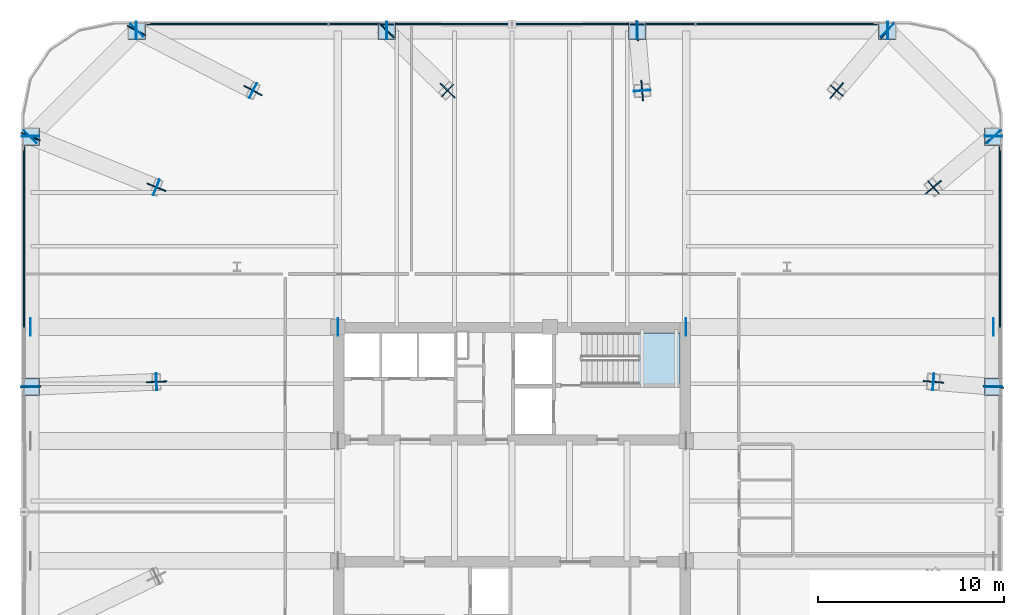
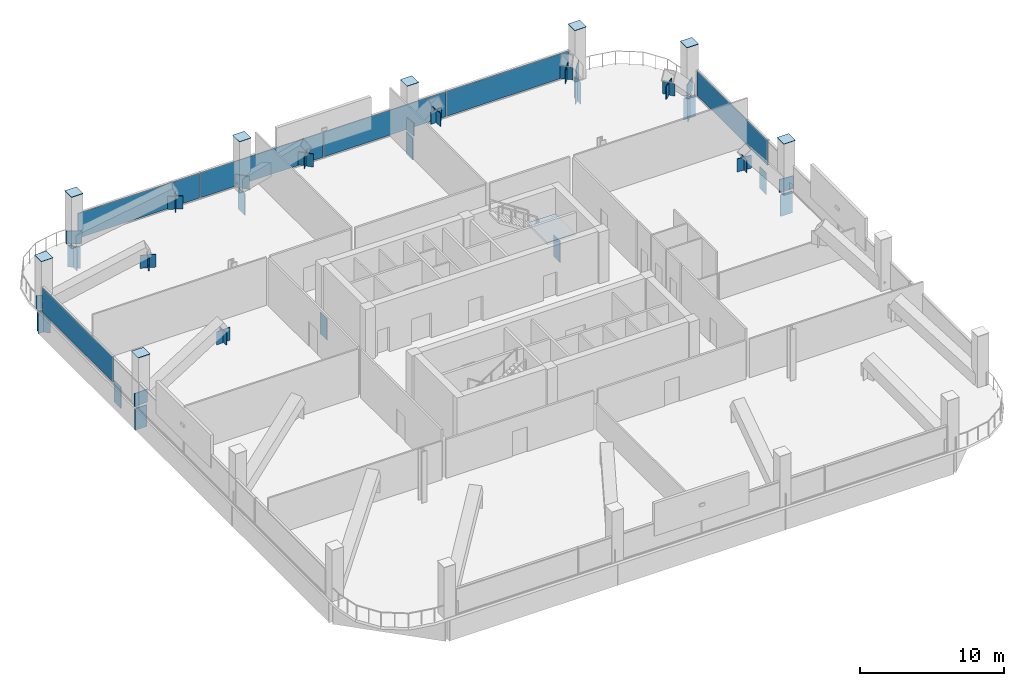
# One storey, part 29 of 38: 58 plates, 1 slab, 4 elements without a shape of their own.
"""IFC4 building model written with IfcOpenShell, lengths in metres."""

from ifc_helpers import new_model, si_unit, direction, frame, origin, origin_2d, place, context, subcontext, project, spatial, polyline, rectangle, outline, extrude, material, layer, layer_set, type_object, element, aggregate, save


model = new_model("IFC4")

# Units and contexts
model_context = context("Model", 3, precision=1e-05, world=origin(), true_north=direction((0.0, 1.0)))
body_context = subcontext(model_context, "Body", "Model", "MODEL_VIEW")
ifc_project = project(units=[si_unit("LENGTHUNIT", "METRE"), si_unit("AREAUNIT", "SQUARE_METRE"), si_unit("VOLUMEUNIT", "CUBIC_METRE"), si_unit("PLANEANGLEUNIT", "RADIAN"), si_unit("MASSUNIT", "GRAM", prefix="KILO")], contexts=[model_context])

# Site, building, storey
site_placement = place(None, origin())
site = spatial("IfcSite", under=ifc_project, at=site_placement, CompositionType="ELEMENT")
building_placement = place(site_placement, origin())
building = spatial("IfcBuilding", under=site, at=building_placement, Name="Qhalaya Broadcast Tower", CompositionType="ELEMENT")
storey_placement = place(building_placement, frame((0.0, 0.0, 53.550048828125)))
storey = spatial("IfcBuildingStorey", under=building, at=storey_placement, Name="L15", CompositionType="ELEMENT", Elevation=53.550048828125)

# Plates
ifc_material_1 = material(Name="Structural Steel ASTM A572 Grade 50", Category="steel")
ifc_layer_1 = layer(ifc_material_1, 0.054931640625, Name="Structural Steel ASTM A572 Grade 50")
ifc_layer_set_1 = layer_set([ifc_layer_1], Name="Structural Steel ASTM A572 Grade 50")
plate_type_1 = type_object("IfcPlateType", Name="Exoskeleton Diamond Node Gusset Plate NP-01", PredefinedType="USERDEFINED", material=ifc_layer_set_1)
for number, where, z_axis, x_axis, name in (
    (1, (25.89990234375, 6.7333984375, 0.0), (0.0, 0.0, 1.0), (-0.996524915775, 0.083295211383, 0.0), "L15 Strut Foot Gusset Plate 07"),
    (2, (22.669921875, 7.00341796875, 2.7099609375), (0.0, 0.0, 1.0), (-0.996524915775, 0.083295211383, 0.0), "L15 Strut Head Gusset Plate 07"),
    (3, (25.89990234375, 20.199951171875, 0.0), (0.0, 0.0, 1.0), (-0.763739698917, -0.645524339044, 0.0), "L15 Strut Foot Gusset Plate 08"),
    (4, (22.669921875, 17.469970703125, 2.7099609375), (0.0, 0.0, 1.0), (-0.763739698917, -0.645524339044, 0.0), "L15 Strut Head Gusset Plate 08"),
    (5, (20.199951171875, 25.89990234375, 0.0), (0.0, 0.0, 1.0), (-0.645524339044, -0.763739698917, 0.0), "L15 Strut Foot Gusset Plate 09"),
    (6, (17.469970703125, 22.669921875, 2.7099609375), (0.0, 0.0, 1.0), (-0.645524339044, -0.763739698917, 0.0), "L15 Strut Head Gusset Plate 09"),
    (7, (6.7333984375, 25.89990234375, 0.0), (0.0, 0.0, 1.0), (0.083295211383, -0.996524915775, 0.0), "L15 Strut Foot Gusset Plate 10"),
    (8, (7.00341796875, 22.669921875, 2.7099609375), (0.0, 0.0, 1.0), (0.083295211383, -0.996524915775, 0.0), "L15 Strut Head Gusset Plate 10"),
    (9, (-6.7333984375, 25.89990234375, 0.0), (0.0, 0.0, 1.0), (0.711449827011, -0.702736895037, 0.0), "L15 Strut Foot Gusset Plate 11"),
    (10, (-3.46337890625, 22.669921875, 2.7099609375), (0.0, 0.0, 1.0), (0.711449827011, -0.702736895037, 0.0), "L15 Strut Head Gusset Plate 11"),
    (11, (-20.199951171875, 25.89990234375, 0.0), (0.0, 0.0, 1.0), (0.888977181064, -0.457951494755, 0.0), "L15 Strut Foot Gusset Plate 12"),
    (12, (-13.929931640625, 22.669921875, 2.7099609375), (0.0, 0.0, 1.0), (0.888977181064, -0.457951494755, 0.0), "L15 Strut Head Gusset Plate 12"),
    (13, (-25.89990234375, 20.199951171875, 0.0), (0.0, 0.0, 1.0), (0.927432099131, -0.373991579453, 0.0), "L15 Strut Foot Gusset Plate 13"),
    (14, (-19.1298828125, 17.469970703125, 2.7099609375), (0.0, 0.0, 1.0), (0.927432099131, -0.373991579453, 0.0), "L15 Strut Head Gusset Plate 13"),
    (15, (-25.89990234375, 6.7333984375, 0.0), (0.0, 0.0, 1.0), (0.999205563065, 0.039852763258, 0.0), "L15 Strut Foot Gusset Plate 14"),
    (16, (-19.1298828125, 7.00341796875, 2.7099609375), (0.0, 0.0, 1.0), (0.999205563065, 0.039852763258, 0.0), "L15 Strut Head Gusset Plate 14"),
):
    element("IfcPlate", number, at=place(storey_placement, frame(where, z_axis=z_axis, x_axis=x_axis)), inside=storey, type_object=plate_type_1, Name=name, ObjectType="GUSSET_PLATE", PredefinedType="USERDEFINED", context=body_context, shape_type="SweptSolid", body=[
        extrude(rectangle(XDim=1.10009765625, YDim=0.06005859375, at=origin_2d()), origin(), (0.0, 0.0, 1.0), 1.10009765625),
    ])
ifc_layer_2 = layer(ifc_material_1, 0.4599609375, Name="Structural Steel ASTM A572 Grade 50")
ifc_layer_set_2 = layer_set([ifc_layer_2], Name="Structural Steel ASTM A572 Grade 50")
plate_type_2 = type_object("IfcPlateType", Name="Hollow Box Member End Cap Plate CP-01", PredefinedType="USERDEFINED", material=ifc_layer_set_2)
for number, where, z_axis, x_axis, name in (
    (17, (25.89990234375, 6.749267578125, -2.0400390625), (0.0, 0.0, 1.0), (-1.0, 0.0, 0.0), "L15 Hollow Girder End Cap L15-SPR-06-B"),
    (18, (25.89990234375, 6.71728515625, -2.0400390625), (0.0, 0.0, 1.0), (-1.0, 0.0, 0.0), "L15 Hollow Girder End Cap L15-SPR-07-A"),
    (19, (25.89990234375, 20.216064453125, -2.0400390625), (0.0, 0.0, 1.0), (-1.0, 0.0, 0.0), "L15 Hollow Girder End Cap L15-SPR-07-B"),
    (20, (25.911376953125, 20.188720703125, -2.0400390625), (0.0, 0.0, 1.0), (-0.707106781187, -0.707106781187, 0.0), "L15 Hollow Girder End Cap L15-SPR-08-A"),
    (21, (20.188720703125, 25.911376953125, -2.0400390625), (0.0, 0.0, 1.0), (-0.707106781187, -0.707106781187, 0.0), "L15 Hollow Girder End Cap L15-SPR-08-B"),
    (22, (20.216064453125, 25.89990234375, -2.0400390625), (0.0, 0.0, 1.0), (0.0, -1.0, 0.0), "L15 Hollow Girder End Cap L15-SPR-09-A"),
    (23, (6.71728515625, 25.89990234375, -2.0400390625), (0.0, 0.0, 1.0), (0.0, -1.0, 0.0), "L15 Hollow Girder End Cap L15-SPR-09-B"),
    (24, (6.749267578125, 25.89990234375, -2.0400390625), (0.0, 0.0, 1.0), (0.0, -1.0, 0.0), "L15 Hollow Girder End Cap L15-SPR-10-A"),
    (25, (-6.749267578125, 25.89990234375, -2.0400390625), (0.0, 0.0, 1.0), (0.0, -1.0, 0.0), "L15 Hollow Girder End Cap L15-SPR-10-B"),
    (26, (-6.71728515625, 25.89990234375, -2.0400390625), (0.0, 0.0, 1.0), (0.0, -1.0, 0.0), "L15 Hollow Girder End Cap L15-SPR-11-A"),
    (27, (-20.216064453125, 25.89990234375, -2.0400390625), (0.0, 0.0, 1.0), (0.0, -1.0, 0.0), "L15 Hollow Girder End Cap L15-SPR-11-B"),
    (28, (-20.188720703125, 25.911376953125, -2.0400390625), (0.0, 0.0, 1.0), (0.707106781187, -0.707106781187, 0.0), "L15 Hollow Girder End Cap L15-SPR-12-A"),
    (29, (-25.911376953125, 20.188720703125, -2.0400390625), (0.0, 0.0, 1.0), (0.707106781187, -0.707106781187, 0.0), "L15 Hollow Girder End Cap L15-SPR-12-B"),
    (30, (-25.89990234375, 20.216064453125, -2.0400390625), (0.0, 0.0, 1.0), (1.0, 0.0, 0.0), "L15 Hollow Girder End Cap L15-SPR-13-A"),
    (31, (-25.89990234375, 6.71728515625, -2.0400390625), (0.0, 0.0, 1.0), (1.0, 0.0, 0.0), "L15 Hollow Girder End Cap L15-SPR-13-B"),
    (32, (-25.89990234375, 6.749267578125, -2.0400390625), (0.0, 0.0, 1.0), (1.0, 0.0, 0.0), "L15 Hollow Girder End Cap L15-SPR-14-A"),
    (33, (-25.89599609375, 9.949951171875, -2.0400390625), (0.0, 0.0, 1.0), (0.0, 1.0, 0.0), "L15 Hollow Girder End Cap L15-PGYW4-1-A"),
    (34, (-9.35888671875, 9.949951171875, -2.0400390625), (0.0, 0.0, 1.0), (0.0, 1.0, 0.0), "L15 Hollow Girder End Cap L15-PGYW4-1-B"),
    (35, (9.35888671875, 9.949951171875, -2.0400390625), (0.0, 0.0, 1.0), (0.0, 1.0, 0.0), "L15 Hollow Girder End Cap L15-PGYE4-1-A"),
    (36, (25.89599609375, 9.949951171875, -2.0400390625), (0.0, 0.0, 1.0), (0.0, 1.0, 0.0), "L15 Hollow Girder End Cap L15-PGYE4-1-B"),
):
    element("IfcPlate", number, at=place(storey_placement, frame(where, z_axis=z_axis, x_axis=x_axis)), inside=storey, type_object=plate_type_2, Name=name, ObjectType="COVER_PLATE", PredefinedType="USERDEFINED", context=body_context, shape_type="SweptSolid", body=[
        extrude(rectangle(XDim=0.93994140625, YDim=0.031982421875, at=origin_2d()), origin(), (0.0, 0.0, 1.0), 1.840087890625),
    ])
for number, where, z_axis, x_axis, name in (
    (37, (25.89990234375, 6.7333984375, 4.35009765625), (0.0, 0.0, 1.0), (0.0, 1.0, 0.0), "L15 Hollow Box Column Top Cap Plate COL-EX07"),
    (38, (25.89990234375, 20.199951171875, 4.35009765625), (0.0, 0.0, 1.0), (0.0, 1.0, 0.0), "L15 Hollow Box Column Top Cap Plate COL-EX08"),
    (39, (20.199951171875, 25.89990234375, 4.35009765625), (0.0, 0.0, 1.0), (1.0, 0.0, 0.0), "L15 Hollow Box Column Top Cap Plate COL-EX09"),
    (40, (6.7333984375, 25.89990234375, 4.35009765625), (0.0, 0.0, 1.0), (1.0, 0.0, 0.0), "L15 Hollow Box Column Top Cap Plate COL-EX10"),
    (41, (-6.7333984375, 25.89990234375, 4.35009765625), (0.0, 0.0, 1.0), (1.0, 0.0, 0.0), "L15 Hollow Box Column Top Cap Plate COL-EX11"),
    (42, (-20.199951171875, 25.89990234375, 4.35009765625), (0.0, 0.0, 1.0), (1.0, 0.0, 0.0), "L15 Hollow Box Column Top Cap Plate COL-EX12"),
    (43, (-25.89990234375, 20.199951171875, 4.35009765625), (0.0, 0.0, 1.0), (0.0, 1.0, 0.0), "L15 Hollow Box Column Top Cap Plate COL-EX13"),
    (44, (-25.89990234375, 6.7333984375, 4.35009765625), (0.0, 0.0, 1.0), (0.0, 1.0, 0.0), "L15 Hollow Box Column Top Cap Plate COL-EX14"),
):
    element("IfcPlate", number, at=place(storey_placement, frame(where, z_axis=z_axis, x_axis=x_axis)), inside=storey, type_object=plate_type_2, Name=name, ObjectType="COVER_PLATE", PredefinedType="USERDEFINED", context=body_context, shape_type="SweptSolid", body=[
        extrude(rectangle(XDim=0.93994140625, YDim=0.93994140625, at=origin_2d()), origin(), (0.0, 0.0, 1.0), 0.031982421875),
    ])

# Curtain wall, plate
ifc_material_2 = material(Name="Fired Architectural Terracotta", Category="masonry")
ifc_layer_3 = layer(ifc_material_2, 0.219970703125, Name="Fired Architectural Terracotta")
ifc_layer_set_3 = layer_set([ifc_layer_3], Name="Fired Architectural Terracotta")
curtain_wall_type = type_object("IfcCurtainWallType", Name="Block-Cap Unitised Terracotta Spandrel Wall CW-07", PredefinedType="NOTDEFINED", material=ifc_layer_set_3)
curtain_wall_1_placement = place(storey_placement, origin())
curtain_wall_1 = element("IfcCurtainWall", 45, at=curtain_wall_1_placement, inside=storey, type_object=curtain_wall_type, Name="L15 Unitised Curtain Wall L15-CW-E", PredefinedType="NOTDEFINED")
ifc_layer_4 = layer(ifc_material_2, 0.080078125, Name="Fired Architectural Terracotta")
ifc_layer_set_4 = layer_set([ifc_layer_4], Name="Fired Architectural Terracotta")
plate_type_3 = type_object("IfcPlateType", Name="Insulated Terracotta Spandrel Panel TSP-07", PredefinedType="CURTAIN_PANEL", material=ifc_layer_set_4)
plate_1_placement = place(storey_placement, frame((26.260009765625, 14.802734375, 0.074951171875), z_axis=(0.0, 0.0, 1.0), x_axis=(0.0, -1.0, 0.0)))
plate_1 = element("IfcPlate", 46, at=plate_1_placement, type_object=plate_type_3, Name="CW-07 panel 1.1", PredefinedType="CURTAIN_PANEL", context=body_context, shape_type="SweptSolid", body=[
    extrude(rectangle(XDim=9.7685546875, YDim=0.080078125, at=origin_2d()), origin(), (0.0, 0.0, 1.0), 2.10009765625),
])
aggregate(curtain_wall_1, [plate_1])

# Curtain wall, plates
curtain_wall_2_placement = place(storey_placement, origin())
curtain_wall_2 = element("IfcCurtainWall", 47, at=curtain_wall_2_placement, inside=storey, type_object=curtain_wall_type, Name="L15 Unitised Curtain Wall L15-CW-N", PredefinedType="NOTDEFINED")
plate_2_placement = place(storey_placement, frame((-14.802734375, 26.260009765625, 0.074951171875), z_axis=(0.0, 0.0, 1.0), x_axis=(1.0, 0.0, 0.0)))
plate_2 = element("IfcPlate", 48, at=plate_2_placement, type_object=plate_type_3, Name="CW-07 panel 1.1", PredefinedType="CURTAIN_PANEL", context=body_context, shape_type="SweptSolid", body=[
    extrude(rectangle(XDim=9.7685546875, YDim=0.080078125, at=origin_2d()), origin(), (0.0, 0.0, 1.0), 2.10009765625),
])
plate_3_placement = place(storey_placement, frame((-4.9404296875, 26.260009765625, 0.074951171875), z_axis=(0.0, 0.0, 1.0), x_axis=(1.0, 0.0, 0.0)))
plate_3 = element("IfcPlate", 49, at=plate_3_placement, type_object=plate_type_3, Name="CW-07 panel 2.1", PredefinedType="CURTAIN_PANEL", context=body_context, shape_type="SweptSolid", body=[
    extrude(rectangle(XDim=9.805908203125, YDim=0.080078125, at=origin_2d()), origin(), (0.0, 0.0, 1.0), 2.10009765625),
])
plate_4_placement = place(storey_placement, frame((4.9404296875, 26.260009765625, 0.074951171875), z_axis=(0.0, 0.0, 1.0), x_axis=(1.0, 0.0, 0.0)))
plate_4 = element("IfcPlate", 50, at=plate_4_placement, type_object=plate_type_3, Name="CW-07 panel 3.1", PredefinedType="CURTAIN_PANEL", context=body_context, shape_type="SweptSolid", body=[
    extrude(rectangle(XDim=9.805908203125, YDim=0.080078125, at=origin_2d()), origin(), (0.0, 0.0, 1.0), 2.10009765625),
])
plate_5_placement = place(storey_placement, frame((14.802734375, 26.260009765625, 0.074951171875), z_axis=(0.0, 0.0, 1.0), x_axis=(1.0, 0.0, 0.0)))
plate_5 = element("IfcPlate", 51, at=plate_5_placement, type_object=plate_type_3, Name="CW-07 panel 4.1", PredefinedType="CURTAIN_PANEL", context=body_context, shape_type="SweptSolid", body=[
    extrude(rectangle(XDim=9.7685546875, YDim=0.080078125, at=origin_2d()), origin(), (0.0, 0.0, 1.0), 2.10009765625),
])
aggregate(curtain_wall_2, [plate_2, plate_3, plate_4, plate_5])

# Curtain wall, plate
curtain_wall_3_placement = place(storey_placement, origin())
curtain_wall_3 = element("IfcCurtainWall", 52, at=curtain_wall_3_placement, inside=storey, type_object=curtain_wall_type, Name="L15 Unitised Curtain Wall L15-CW-W", PredefinedType="NOTDEFINED")
plate_6_placement = place(storey_placement, frame((-26.260009765625, 14.802734375, 0.074951171875), z_axis=(0.0, 0.0, 1.0), x_axis=(0.0, 1.0, 0.0)))
plate_6 = element("IfcPlate", 53, at=plate_6_placement, type_object=plate_type_3, Name="CW-07 panel 4.1", PredefinedType="CURTAIN_PANEL", context=body_context, shape_type="SweptSolid", body=[
    extrude(rectangle(XDim=9.7685546875, YDim=0.080078125, at=origin_2d()), origin(), (0.0, 0.0, 1.0), 2.10009765625),
])
aggregate(curtain_wall_3, [plate_6])

# Stair, slab
ifc_material_3 = material(Name="Concrete C40/50", Category="concrete")
stair_type = type_object("IfcStairType", Name="Protected Dogleg Core Stair 4200", PredefinedType="TWO_STRAIGHT_RUN_STAIR", material=ifc_material_3)
stair_placement = place(storey_placement, origin())
stair = element("IfcStair", 54, at=stair_placement, inside=storey, type_object=stair_type, Name="L15 North Core Exit Stair ST-1", PredefinedType="TWO_STRAIGHT_RUN_STAIR")
ifc_layer_5 = layer(ifc_material_3, 0.199951171875, Name="Concrete C40/50")
ifc_layer_set_5 = layer_set([ifc_layer_5], Name="Concrete C40/50")
slab_type = type_object("IfcSlabType", Name="Stair & Ramp Half-Landing Slab 200", PredefinedType="LANDING", material=ifc_layer_set_5)
slab_placement = place(storey_placement, frame((0.0, 0.0, 1.974853515625)))
slab = element("IfcSlab", 55, at=slab_placement, type_object=slab_type, Name="ST-1 landing 1", PredefinedType="LANDING", context=body_context, shape_type="SweptSolid", body=[
    extrude(outline(polyline([(6.794921875, 6.8798828125), (9.050048828125, 6.8798828125), (9.050048828125, 9.639892578125), (6.794921875, 9.639892578125), (6.794921875, 6.8798828125)])), origin(), (0.0, 0.0, 1.0), 0.2001953125),
])
aggregate(stair, [slab])

# Plates
ifc_layer_6 = layer(ifc_material_1, 0.044921875, Name="Structural Steel ASTM A572 Grade 50")
ifc_layer_set_6 = layer_set([ifc_layer_6], Name="Structural Steel ASTM A572 Grade 50")
plate_type_4 = type_object("IfcPlateType", Name="Transfer Girder Web Stiffener Plate WS-01", PredefinedType="USERDEFINED", material=ifc_layer_set_6)
for number, where, z_axis, x_axis, name in (
    (56, (22.669921875, 7.00341796875, 2.73486328125), (0.0, 0.0, 1.0), (-0.083295211383, -0.996524915775, 0.0), "L15 Strut Head Cross Diaphragm Plate 07"),
    (57, (22.669921875, 17.469970703125, 2.73486328125), (0.0, 0.0, 1.0), (0.645524339044, -0.763739698917, 0.0), "L15 Strut Head Cross Diaphragm Plate 08"),
    (58, (17.469970703125, 22.669921875, 2.73486328125), (0.0, 0.0, 1.0), (0.763739698917, -0.645524339044, 0.0), "L15 Strut Head Cross Diaphragm Plate 09"),
    (59, (7.00341796875, 22.669921875, 2.73486328125), (0.0, 0.0, 1.0), (0.996524915775, 0.083295211383, 0.0), "L15 Strut Head Cross Diaphragm Plate 10"),
    (60, (-3.46337890625, 22.669921875, 2.73486328125), (0.0, 0.0, 1.0), (0.702736895037, 0.711449827011, 0.0), "L15 Strut Head Cross Diaphragm Plate 11"),
    (61, (-13.929931640625, 22.669921875, 2.73486328125), (0.0, 0.0, 1.0), (0.457951494755, 0.888977181064, 0.0), "L15 Strut Head Cross Diaphragm Plate 12"),
    (62, (-19.1298828125, 17.469970703125, 2.73486328125), (0.0, 0.0, 1.0), (0.373991579453, 0.927432099131, 0.0), "L15 Strut Head Cross Diaphragm Plate 13"),
    (63, (-19.1298828125, 7.00341796875, 2.73486328125), (0.0, 0.0, 1.0), (-0.039852763258, 0.999205563065, 0.0), "L15 Strut Head Cross Diaphragm Plate 14"),
):
    element("IfcPlate", number, at=place(storey_placement, frame(where, z_axis=z_axis, x_axis=x_axis)), inside=storey, type_object=plate_type_4, Name=name, ObjectType="STIFFENER_PLATE", PredefinedType="USERDEFINED", context=body_context, shape_type="SweptSolid", body=[
        extrude(rectangle(XDim=0.89990234375, YDim=0.044921875, at=origin_2d()), origin(), (0.0, 0.0, 1.0), 1.050048828125),
    ])

save(model, "model.ifc")
